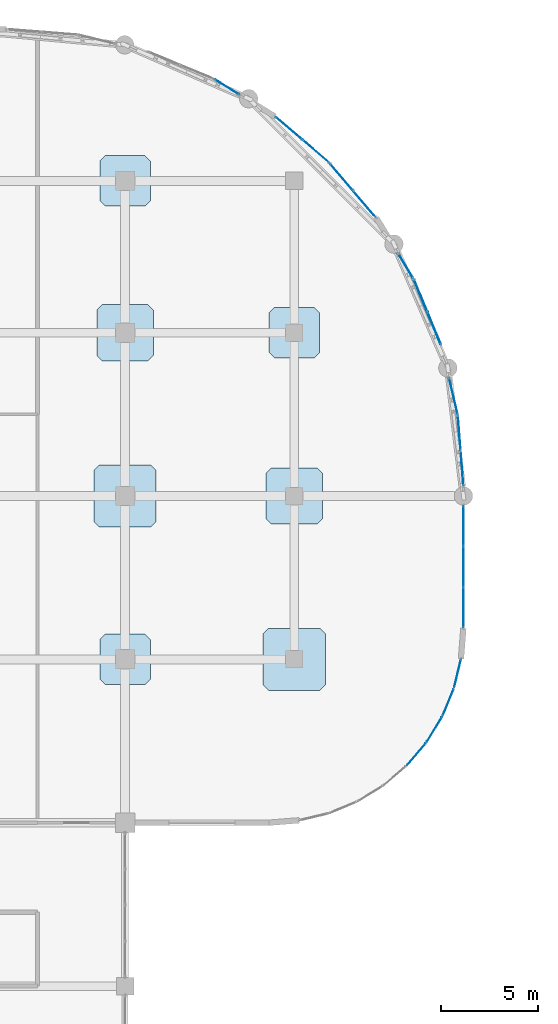
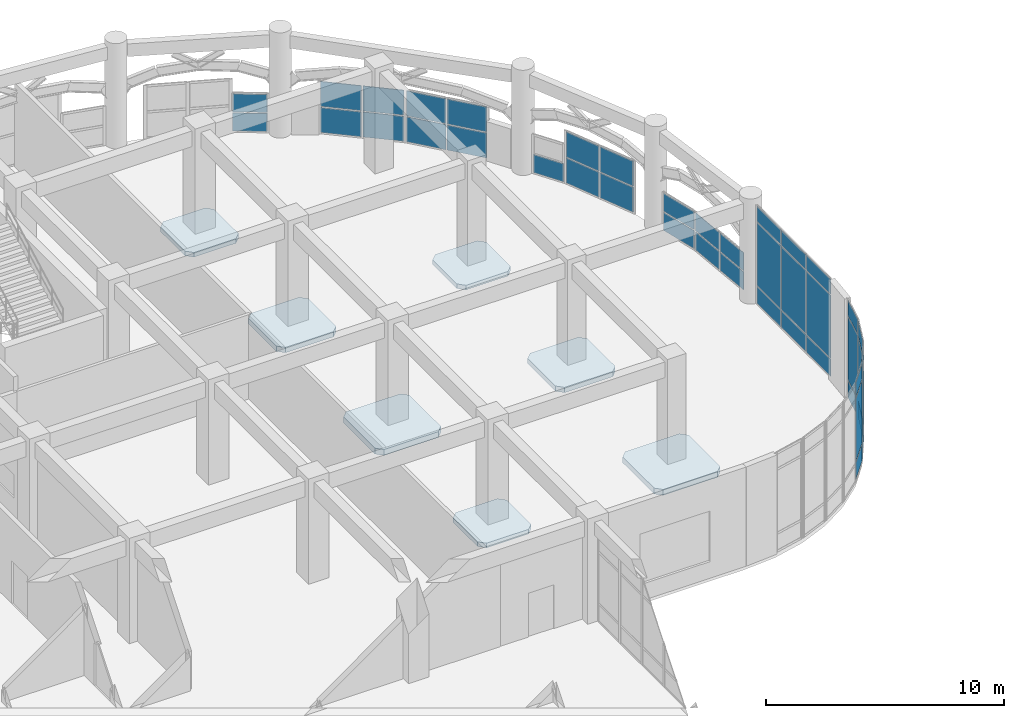
# One storey, part 90 of 114: 42 plates, 7 slabs, 12 elements without a shape of their own.
"""IFC4 building model written with IfcOpenShell, lengths in metres."""

from ifc_helpers import new_model, si_unit, derived_unit, direction, frame, origin, origin_2d, place, context, subcontext, project, spatial, polyline, rectangle, outline, extrude, material, layer, layer_set, type_object, element, aggregate, save


model = new_model("IFC4")

# Units and contexts
model_context = context("Model", 3, precision=1e-05, world=origin(), true_north=direction((0.0, 1.0)))
body_context = subcontext(model_context, "Body", "Model", "MODEL_VIEW")
ifc_project = project(units=[si_unit("LENGTHUNIT", "METRE"), si_unit("AREAUNIT", "SQUARE_METRE"), si_unit("VOLUMEUNIT", "CUBIC_METRE"), si_unit("PLANEANGLEUNIT", "RADIAN"), si_unit("MASSUNIT", "GRAM", prefix="KILO"), derived_unit("THERMALTRANSMITTANCEUNIT", [(si_unit("MASSUNIT", "GRAM", prefix="KILO"), 1), (si_unit("TIMEUNIT", "SECOND"), -3), (si_unit("THERMODYNAMICTEMPERATUREUNIT", "KELVIN"), -1)])], contexts=[model_context])

# Site, building, storey
site_placement = place(None, origin())
site = spatial("IfcSite", under=ifc_project, at=site_placement, CompositionType="ELEMENT")
building_placement = place(site_placement, origin())
building = spatial("IfcBuilding", under=site, at=building_placement, Name="Qinzheling Arcade Emporium", CompositionType="ELEMENT")
storey_placement = place(building_placement, frame((0.0, 0.0, 6.0)))
storey = spatial("IfcBuildingStorey", under=building, at=storey_placement, Name="L02", CompositionType="ELEMENT", Elevation=6.0)

# Slabs
ifc_material_1 = material(Name="Concrete C40", Category="concrete")
ifc_layer_1 = layer(ifc_material_1, 0.235107421875, Name="Concrete C40", Category="concrete")
ifc_layer_set_1 = layer_set([ifc_layer_1], Name="Concrete C40")
slab_type_1 = type_object("IfcSlabType", Name="Column Head Drop Panel 2600x2600x235 C40", PredefinedType="USERDEFINED", material=ifc_layer_set_1)
slab_1_placement = place(storey_placement, frame((0.0, 0.0, -0.5)))
element("IfcSlab", 1, at=slab_1_placement, inside=storey, type_object=slab_type_1, Name="Column Drop Panel DP-L02-16-K", ObjectType="DROP_PANEL", PredefinedType="USERDEFINED", context=body_context, shape_type="SweptSolid", body=[
    extrude(outline(polyline([(129.47998046875, 80.89990234375), (131.52001953125, 80.89990234375), (131.800048828125, 81.179931640625), (131.800048828125, 83.219970703125), (131.52001953125, 83.5), (129.47998046875, 83.5), (129.199951171875, 83.219970703125), (129.199951171875, 81.179931640625), (129.47998046875, 80.89990234375)])), origin(), (0.0, 0.0, 1.0), 0.235107421875),
])
slab_2_placement = place(storey_placement, frame((0.0, 0.0, -0.5)))
element("IfcSlab", 2, at=slab_2_placement, inside=storey, type_object=slab_type_1, Name="Column Drop Panel DP-L02-16-N", ObjectType="DROP_PANEL", PredefinedType="USERDEFINED", context=body_context, shape_type="SweptSolid", body=[
    extrude(outline(polyline([(129.47998046875, 105.5), (131.52001953125, 105.5), (131.800048828125, 105.780029296875), (131.800048828125, 107.820068359375), (131.52001953125, 108.10009765625), (129.47998046875, 108.10009765625), (129.199951171875, 107.820068359375), (129.199951171875, 105.780029296875), (129.47998046875, 105.5)])), origin(), (0.0, 0.0, 1.0), 0.235107421875),
])
slab_3_placement = place(storey_placement, frame((0.0, 0.0, -0.5)))
element("IfcSlab", 3, at=slab_3_placement, inside=storey, type_object=slab_type_1, Name="Column Drop Panel DP-L02-17-M", ObjectType="DROP_PANEL", PredefinedType="USERDEFINED", context=body_context, shape_type="SweptSolid", body=[
    extrude(outline(polyline([(138.179931640625, 97.699951171875), (140.219970703125, 97.699951171875), (140.5, 97.97998046875), (140.5, 100.02001953125), (140.219970703125, 100.300048828125), (138.179931640625, 100.300048828125), (137.89990234375, 100.02001953125), (137.89990234375, 97.97998046875), (138.179931640625, 97.699951171875)])), origin(), (0.0, 0.0, 1.0), 0.235107421875),
])
ifc_layer_2 = layer(ifc_material_1, 0.27001953125, Name="Concrete C40", Category="concrete")
ifc_layer_set_2 = layer_set([ifc_layer_2], Name="Concrete C40")
slab_type_2 = type_object("IfcSlabType", Name="Column Head Drop Panel 2900x2900x270 C40", PredefinedType="USERDEFINED", material=ifc_layer_set_2)
slab_4_placement = place(storey_placement, frame((0.0, 0.0, -0.534912109375)))
element("IfcSlab", 4, at=slab_4_placement, inside=storey, type_object=slab_type_2, Name="Column Drop Panel DP-L02-16-M", ObjectType="DROP_PANEL", PredefinedType="USERDEFINED", context=body_context, shape_type="SweptSolid", body=[
    extrude(outline(polyline([(129.330078125, 97.550048828125), (131.669921875, 97.550048828125), (131.949951171875, 97.830078125), (131.949951171875, 100.169921875), (131.669921875, 100.449951171875), (129.330078125, 100.449951171875), (129.050048828125, 100.169921875), (129.050048828125, 97.830078125), (129.330078125, 97.550048828125)])), origin(), (0.0, 0.0, 1.0), 0.27001953125),
])
slab_5_placement = place(storey_placement, frame((0.0, 0.0, -0.534912109375)))
element("IfcSlab", 5, at=slab_5_placement, inside=storey, type_object=slab_type_2, Name="Column Drop Panel DP-L02-17-L", ObjectType="DROP_PANEL", PredefinedType="USERDEFINED", context=body_context, shape_type="SweptSolid", body=[
    extrude(outline(polyline([(138.030029296875, 89.14990234375), (140.3701171875, 89.14990234375), (140.64990234375, 89.429931640625), (140.64990234375, 91.77001953125), (140.3701171875, 92.050048828125), (138.030029296875, 92.050048828125), (137.75, 91.77001953125), (137.75, 89.429931640625), (138.030029296875, 89.14990234375)])), origin(), (0.0, 0.0, 1.0), 0.27001953125),
])
ifc_layer_3 = layer(ifc_material_1, 0.300048828125, Name="Concrete C40", Category="concrete")
ifc_layer_set_3 = layer_set([ifc_layer_3], Name="Concrete C40")
slab_type_3 = type_object("IfcSlabType", Name="Column Head Drop Panel 3200x3200x300 C40", PredefinedType="USERDEFINED", material=ifc_layer_set_3)
slab_6_placement = place(storey_placement, frame((0.0, 0.0, -0.56494140625)))
element("IfcSlab", 6, at=slab_6_placement, inside=storey, type_object=slab_type_3, Name="Column Drop Panel DP-L02-16-L", ObjectType="DROP_PANEL", PredefinedType="USERDEFINED", context=body_context, shape_type="SweptSolid", body=[
    extrude(outline(polyline([(129.179931640625, 89.0), (131.820068359375, 89.0), (132.10009765625, 89.280029296875), (132.10009765625, 91.919921875), (131.820068359375, 92.199951171875), (129.179931640625, 92.199951171875), (128.89990234375, 91.919921875), (128.89990234375, 89.280029296875), (129.179931640625, 89.0)])), origin(), (0.0, 0.0, 1.0), 0.300048828125),
])
slab_7_placement = place(storey_placement, frame((0.0, 0.0, -0.56494140625)))
element("IfcSlab", 7, at=slab_7_placement, inside=storey, type_object=slab_type_3, Name="Column Drop Panel DP-L02-17-K", ObjectType="DROP_PANEL", PredefinedType="USERDEFINED", context=body_context, shape_type="SweptSolid", body=[
    extrude(outline(polyline([(137.8798828125, 80.60009765625), (140.52001953125, 80.60009765625), (140.800048828125, 80.8798828125), (140.800048828125, 83.52001953125), (140.52001953125, 83.800048828125), (137.8798828125, 83.800048828125), (137.60009765625, 83.52001953125), (137.60009765625, 80.8798828125), (137.8798828125, 80.60009765625)])), origin(), (0.0, 0.0, 1.0), 0.300048828125),
])

# Curtain wall, plates
ifc_material_2 = material(Name="Anodised aluminium and solar-control double glazing", Category="aluminium")
ifc_layer_4 = layer(ifc_material_2, 0.159912109375, Name="Anodised aluminium and solar-control double glazing", Category="aluminium")
ifc_layer_set_4 = layer_set([ifc_layer_4], Name="Anodised aluminium and solar-control double glazing")
curtain_wall_type_1 = type_object("IfcCurtainWallType", Name="Curved Ribbon Sales Curtain Wall", PredefinedType="NOTDEFINED", material=ifc_layer_set_4)
curtain_wall_1_placement = place(storey_placement, origin())
curtain_wall_1 = element("IfcCurtainWall", 8, at=curtain_wall_1_placement, inside=storey, type_object=curtain_wall_type_1, Name="Curtain Wall CW-L02-111", PredefinedType="NOTDEFINED")
ifc_material_3 = material(Name="Laminated solar-control double glazing", Category="glass")
ifc_layer_5 = layer(ifc_material_3, 0.02099609375, Name="Laminated solar-control double glazing", Category="glass")
ifc_layer_set_5 = layer_set([ifc_layer_5], Name="Laminated solar-control double glazing")
plate_type_1 = type_object("IfcPlateType", Name="Low-E Double Glazed Curtain Panel 21mm", PredefinedType="CURTAIN_PANEL", material=ifc_layer_set_5)
plate_1_placement = place(storey_placement, frame((147.37939453125, 95.739501953125, 0.06005859375), z_axis=(0.0, 0.0, 1.0), x_axis=(0.233621036939, -0.972327728237, 0.0)))
plate_1 = element("IfcPlate", 9, at=plate_1_placement, type_object=plate_type_1, Name="CW02 panel 1.1", PredefinedType="CURTAIN_PANEL", context=body_context, shape_type="SweptSolid", body=[
    extrude(rectangle(XDim=1.86181640625, YDim=0.02099609375, at=origin_2d()), origin(), (0.0, 0.0, 1.0), 0.923095703125),
])
plate_2_placement = place(storey_placement, frame((147.37939453125, 95.739501953125, 1.04296875), z_axis=(0.0, 0.0, 1.0), x_axis=(0.233621036939, -0.972327728237, 0.0)))
plate_2 = element("IfcPlate", 10, at=plate_2_placement, type_object=plate_type_1, Name="CW02 panel 1.2", PredefinedType="CURTAIN_PANEL", context=body_context, shape_type="SweptSolid", body=[
    extrude(rectangle(XDim=1.86181640625, YDim=0.02099609375, at=origin_2d()), origin(), (0.0, 0.0, 1.0), 0.922119140625),
])
aggregate(curtain_wall_1, [plate_1, plate_2])

curtain_wall_2_placement = place(storey_placement, origin())
curtain_wall_2 = element("IfcCurtainWall", 11, at=curtain_wall_2_placement, inside=storey, type_object=curtain_wall_type_1, Name="Curtain Wall CW-L02-112", PredefinedType="NOTDEFINED")
ifc_layer_6 = layer(ifc_material_3, 0.02197265625, Name="Laminated solar-control double glazing", Category="glass")
ifc_layer_set_6 = layer_set([ifc_layer_6], Name="Laminated solar-control double glazing")
plate_type_2 = type_object("IfcPlateType", Name="Low-E Double Glazed Curtain Panel 22mm", PredefinedType="CURTAIN_PANEL", material=ifc_layer_set_6)
plate_3_placement = place(storey_placement, frame((147.684326171875, 93.842041015625, 0.06005859375), z_axis=(0.0, 0.0, 1.0), x_axis=(0.078376222365, -0.996923852542, 0.0)))
plate_3 = element("IfcPlate", 12, at=plate_3_placement, type_object=plate_type_2, Name="CW02 panel 1.1", PredefinedType="CURTAIN_PANEL", context=body_context, shape_type="SweptSolid", body=[
    extrude(rectangle(XDim=1.753662109375, YDim=0.02197265625, at=origin_2d()), origin(), (0.0, 0.0, 1.0), 0.923095703125),
])
plate_4_placement = place(storey_placement, frame((147.684326171875, 93.842041015625, 1.04296875), z_axis=(0.0, 0.0, 1.0), x_axis=(0.078376222365, -0.996923852542, 0.0)))
plate_4 = element("IfcPlate", 13, at=plate_4_placement, type_object=plate_type_2, Name="CW02 panel 1.2", PredefinedType="CURTAIN_PANEL", context=body_context, shape_type="SweptSolid", body=[
    extrude(rectangle(XDim=1.753662109375, YDim=0.02197265625, at=origin_2d()), origin(), (0.0, 0.0, 1.0), 0.922119140625),
])
plate_5_placement = place(storey_placement, frame((147.82666015625, 92.033935546875, 0.06005859375), z_axis=(0.0, 0.0, 1.0), x_axis=(0.078376222365, -0.996923852542, 0.0)))
plate_5 = element("IfcPlate", 14, at=plate_5_placement, type_object=plate_type_2, Name="CW02 panel 2.1", PredefinedType="CURTAIN_PANEL", context=body_context, shape_type="SweptSolid", body=[
    extrude(rectangle(XDim=1.753662109375, YDim=0.02197265625, at=origin_2d()), origin(), (0.0, 0.0, 1.0), 0.923095703125),
])
plate_6_placement = place(storey_placement, frame((147.82666015625, 92.033935546875, 1.04296875), z_axis=(0.0, 0.0, 1.0), x_axis=(0.078376222365, -0.996923852542, 0.0)))
plate_6 = element("IfcPlate", 15, at=plate_6_placement, type_object=plate_type_2, Name="CW02 panel 2.2", PredefinedType="CURTAIN_PANEL", context=body_context, shape_type="SweptSolid", body=[
    extrude(rectangle(XDim=1.753662109375, YDim=0.02197265625, at=origin_2d()), origin(), (0.0, 0.0, 1.0), 0.922119140625),
])
aggregate(curtain_wall_2, [plate_3, plate_4, plate_5, plate_6])

ifc_layer_7 = layer(ifc_material_2, 0.159912109375, Name="Anodised aluminium and solar-control double glazing", Category="aluminium")
ifc_layer_set_7 = layer_set([ifc_layer_7], Name="Anodised aluminium and solar-control double glazing")
curtain_wall_type_2 = type_object("IfcCurtainWallType", Name="Arcade Portal Glazed Curtain Wall", PredefinedType="NOTDEFINED", material=ifc_layer_set_7)
curtain_wall_3_placement = place(storey_placement, origin())
curtain_wall_3 = element("IfcCurtainWall", 16, at=curtain_wall_3_placement, inside=storey, type_object=curtain_wall_type_2, Name="Curtain Wall CW-L02-113", PredefinedType="NOTDEFINED")
ifc_layer_8 = layer(ifc_material_3, 0.02392578125, Name="Laminated solar-control double glazing", Category="glass")
ifc_layer_set_8 = layer_set([ifc_layer_8], Name="Laminated solar-control double glazing")
plate_type_3 = type_object("IfcPlateType", Name="Low-E Double Glazed Curtain Panel 24mm", PredefinedType="CURTAIN_PANEL", material=ifc_layer_set_8)
plate_7_placement = place(storey_placement, frame((147.89990234375, 89.05419921875, 0.06005859375), z_axis=(0.0, 0.0, 1.0), x_axis=(0.0, -1.0, 0.0)))
plate_7 = element("IfcPlate", 17, at=plate_7_placement, type_object=plate_type_3, Name="CW05 panel 1.1", PredefinedType="CURTAIN_PANEL", context=body_context, shape_type="SweptSolid", body=[
    extrude(rectangle(XDim=2.017578125, YDim=0.02392578125, at=origin_2d()), origin(), (0.0, 0.0, 1.0), 0.860107421875),
])
plate_8_placement = place(storey_placement, frame((147.89990234375, 89.05419921875, 0.97998046875), z_axis=(0.0, 0.0, 1.0), x_axis=(0.0, -1.0, 0.0)))
plate_8 = element("IfcPlate", 18, at=plate_8_placement, type_object=plate_type_3, Name="CW05 panel 1.2", PredefinedType="CURTAIN_PANEL", context=body_context, shape_type="SweptSolid", body=[
    extrude(rectangle(XDim=2.017578125, YDim=0.02392578125, at=origin_2d()), origin(), (0.0, 0.0, 1.0), 3.22998046875),
])
plate_9_placement = place(storey_placement, frame((147.89990234375, 89.05419921875, 4.27001953125), z_axis=(0.0, 0.0, 1.0), x_axis=(0.0, -1.0, 0.0)))
plate_9 = element("IfcPlate", 19, at=plate_9_placement, type_object=plate_type_3, Name="CW05 panel 1.3", PredefinedType="CURTAIN_PANEL", context=body_context, shape_type="SweptSolid", body=[
    extrude(rectangle(XDim=2.017578125, YDim=0.02392578125, at=origin_2d()), origin(), (0.0, 0.0, 1.0), 0.760009765625),
])
plate_10_placement = place(storey_placement, frame((147.89990234375, 86.96142578125, 0.06005859375), z_axis=(0.0, 0.0, 1.0), x_axis=(0.0, -1.0, 0.0)))
plate_10 = element("IfcPlate", 20, at=plate_10_placement, type_object=plate_type_3, Name="CW05 panel 2.1", PredefinedType="CURTAIN_PANEL", context=body_context, shape_type="SweptSolid", body=[
    extrude(rectangle(XDim=2.047607421875, YDim=0.02392578125, at=origin_2d()), origin(), (0.0, 0.0, 1.0), 0.860107421875),
])
plate_11_placement = place(storey_placement, frame((147.89990234375, 86.96142578125, 0.97998046875), z_axis=(0.0, 0.0, 1.0), x_axis=(0.0, -1.0, 0.0)))
plate_11 = element("IfcPlate", 21, at=plate_11_placement, type_object=plate_type_3, Name="CW05 panel 2.2", PredefinedType="CURTAIN_PANEL", context=body_context, shape_type="SweptSolid", body=[
    extrude(rectangle(XDim=2.047607421875, YDim=0.02392578125, at=origin_2d()), origin(), (0.0, 0.0, 1.0), 3.22998046875),
])
plate_12_placement = place(storey_placement, frame((147.89990234375, 86.96142578125, 4.27001953125), z_axis=(0.0, 0.0, 1.0), x_axis=(0.0, -1.0, 0.0)))
plate_12 = element("IfcPlate", 22, at=plate_12_placement, type_object=plate_type_3, Name="CW05 panel 2.3", PredefinedType="CURTAIN_PANEL", context=body_context, shape_type="SweptSolid", body=[
    extrude(rectangle(XDim=2.047607421875, YDim=0.02392578125, at=origin_2d()), origin(), (0.0, 0.0, 1.0), 0.760009765625),
])
plate_13_placement = place(storey_placement, frame((147.89990234375, 84.868896484375, 0.06005859375), z_axis=(0.0, 0.0, 1.0), x_axis=(0.0, -1.0, 0.0)))
plate_13 = element("IfcPlate", 23, at=plate_13_placement, type_object=plate_type_3, Name="CW05 panel 3.1", PredefinedType="CURTAIN_PANEL", context=body_context, shape_type="SweptSolid", body=[
    extrude(rectangle(XDim=2.017578125, YDim=0.02392578125, at=origin_2d()), origin(), (0.0, 0.0, 1.0), 0.860107421875),
])
plate_14_placement = place(storey_placement, frame((147.89990234375, 84.868896484375, 0.97998046875), z_axis=(0.0, 0.0, 1.0), x_axis=(0.0, -1.0, 0.0)))
plate_14 = element("IfcPlate", 24, at=plate_14_placement, type_object=plate_type_3, Name="CW05 panel 3.2", PredefinedType="CURTAIN_PANEL", context=body_context, shape_type="SweptSolid", body=[
    extrude(rectangle(XDim=2.017578125, YDim=0.02392578125, at=origin_2d()), origin(), (0.0, 0.0, 1.0), 3.22998046875),
])
plate_15_placement = place(storey_placement, frame((147.89990234375, 84.868896484375, 4.27001953125), z_axis=(0.0, 0.0, 1.0), x_axis=(0.0, -1.0, 0.0)))
plate_15 = element("IfcPlate", 25, at=plate_15_placement, type_object=plate_type_3, Name="CW05 panel 3.3", PredefinedType="CURTAIN_PANEL", context=body_context, shape_type="SweptSolid", body=[
    extrude(rectangle(XDim=2.017578125, YDim=0.02392578125, at=origin_2d()), origin(), (0.0, 0.0, 1.0), 0.760009765625),
])
aggregate(curtain_wall_3, [plate_7, plate_8, plate_9, plate_10, plate_11, plate_12, plate_13, plate_14, plate_15])

curtain_wall_4_placement = place(storey_placement, origin())
curtain_wall_4 = element("IfcCurtainWall", 26, at=curtain_wall_4_placement, inside=storey, type_object=curtain_wall_type_1, Name="Curtain Wall CW-L02-114", PredefinedType="NOTDEFINED")
ifc_layer_9 = layer(ifc_material_3, 0.02490234375, Name="Laminated solar-control double glazing", Category="glass")
ifc_layer_set_9 = layer_set([ifc_layer_9], Name="Laminated solar-control double glazing")
plate_type_4 = type_object("IfcPlateType", Name="Low-E Double Glazed Curtain Panel 25mm", PredefinedType="CURTAIN_PANEL", material=ifc_layer_set_9)
plate_16_placement = place(storey_placement, frame((147.593994140625, 81.472900390625, 0.06005859375), z_axis=(0.0, 0.0, 1.0), x_axis=(-0.233228342659, -0.972421996964, 0.0)))
plate_16 = element("IfcPlate", 27, at=plate_16_placement, type_object=plate_type_4, Name="CW02 panel 1.1", PredefinedType="CURTAIN_PANEL", context=body_context, shape_type="SweptSolid", body=[
    extrude(rectangle(XDim=1.44921875, YDim=0.02490234375, at=origin_2d()), origin(), (0.0, 0.0, 1.0), 0.860107421875),
])
plate_17_placement = place(storey_placement, frame((147.593994140625, 81.472900390625, 0.97998046875), z_axis=(0.0, 0.0, 1.0), x_axis=(-0.233228342659, -0.972421996964, 0.0)))
plate_17 = element("IfcPlate", 28, at=plate_17_placement, type_object=plate_type_4, Name="CW02 panel 1.2", PredefinedType="CURTAIN_PANEL", context=body_context, shape_type="SweptSolid", body=[
    extrude(rectangle(XDim=1.44921875, YDim=0.02490234375, at=origin_2d()), origin(), (0.0, 0.0, 1.0), 3.22998046875),
])
plate_18_placement = place(storey_placement, frame((147.593994140625, 81.472900390625, 4.27001953125), z_axis=(0.0, 0.0, 1.0), x_axis=(-0.233228342659, -0.972421996964, 0.0)))
plate_18 = element("IfcPlate", 29, at=plate_18_placement, type_object=plate_type_4, Name="CW02 panel 1.3", PredefinedType="CURTAIN_PANEL", context=body_context, shape_type="SweptSolid", body=[
    extrude(rectangle(XDim=1.44921875, YDim=0.02490234375, at=origin_2d()), origin(), (0.0, 0.0, 1.0), 0.760009765625),
])
aggregate(curtain_wall_4, [plate_16, plate_17, plate_18])

curtain_wall_5_placement = place(storey_placement, origin())
curtain_wall_5 = element("IfcCurtainWall", 30, at=curtain_wall_5_placement, inside=storey, type_object=curtain_wall_type_1, Name="Curtain Wall CW-L02-115", PredefinedType="NOTDEFINED")
ifc_layer_10 = layer(ifc_material_3, 0.02587890625, Name="Laminated solar-control double glazing", Category="glass")
ifc_layer_set_10 = layer_set([ifc_layer_10], Name="Laminated solar-control double glazing")
plate_type_5 = type_object("IfcPlateType", Name="Low-E Double Glazed Curtain Panel 26mm", PredefinedType="CURTAIN_PANEL", material=ifc_layer_set_10)
plate_19_placement = place(storey_placement, frame((147.110595703125, 79.985107421875, 0.06005859375), z_axis=(0.0, 0.0, 1.0), x_axis=(-0.382895684967, -0.923791586038, 0.0)))
plate_19 = element("IfcPlate", 31, at=plate_19_placement, type_object=plate_type_5, Name="CW02 panel 1.1", PredefinedType="CURTAIN_PANEL", context=body_context, shape_type="SweptSolid", body=[
    extrude(rectangle(XDim=1.44970703125, YDim=0.02587890625, at=origin_2d()), origin(), (0.0, 0.0, 1.0), 0.860107421875),
])
plate_20_placement = place(storey_placement, frame((147.110595703125, 79.985107421875, 0.97998046875), z_axis=(0.0, 0.0, 1.0), x_axis=(-0.382895684967, -0.923791586038, 0.0)))
plate_20 = element("IfcPlate", 32, at=plate_20_placement, type_object=plate_type_5, Name="CW02 panel 1.2", PredefinedType="CURTAIN_PANEL", context=body_context, shape_type="SweptSolid", body=[
    extrude(rectangle(XDim=1.44970703125, YDim=0.02587890625, at=origin_2d()), origin(), (0.0, 0.0, 1.0), 3.22998046875),
])
plate_21_placement = place(storey_placement, frame((147.110595703125, 79.985107421875, 4.27001953125), z_axis=(0.0, 0.0, 1.0), x_axis=(-0.382895684967, -0.923791586038, 0.0)))
plate_21 = element("IfcPlate", 33, at=plate_21_placement, type_object=plate_type_5, Name="CW02 panel 1.3", PredefinedType="CURTAIN_PANEL", context=body_context, shape_type="SweptSolid", body=[
    extrude(rectangle(XDim=1.44970703125, YDim=0.02587890625, at=origin_2d()), origin(), (0.0, 0.0, 1.0), 0.760009765625),
])
aggregate(curtain_wall_5, [plate_19, plate_20, plate_21])

curtain_wall_6_placement = place(storey_placement, origin())
curtain_wall_6 = element("IfcCurtainWall", 34, at=curtain_wall_6_placement, inside=storey, type_object=curtain_wall_type_1, Name="Curtain Wall CW-L02-116", PredefinedType="NOTDEFINED")
ifc_layer_11 = layer(ifc_material_3, 0.027099609375, Name="Laminated solar-control double glazing", Category="glass")
ifc_layer_set_11 = layer_set([ifc_layer_11], Name="Laminated solar-control double glazing")
plate_type_6 = type_object("IfcPlateType", Name="Low-E Double Glazed Curtain Panel 27mm", PredefinedType="CURTAIN_PANEL", material=ifc_layer_set_11)
plate_22_placement = place(storey_placement, frame((146.39990234375, 78.591064453125, 0.06005859375), z_axis=(0.0, 0.0, 1.0), x_axis=(-0.522532172191, -0.852619568756, 0.0)))
plate_22 = element("IfcPlate", 35, at=plate_22_placement, type_object=plate_type_6, Name="CW02 panel 1.1", PredefinedType="CURTAIN_PANEL", context=body_context, shape_type="SweptSolid", body=[
    extrude(rectangle(XDim=1.44921875, YDim=0.027099609375, at=origin_2d()), origin(), (0.0, 0.0, 1.0), 0.860107421875),
])
plate_23_placement = place(storey_placement, frame((146.39990234375, 78.591064453125, 0.97998046875), z_axis=(0.0, 0.0, 1.0), x_axis=(-0.522532172191, -0.852619568756, 0.0)))
plate_23 = element("IfcPlate", 36, at=plate_23_placement, type_object=plate_type_6, Name="CW02 panel 1.2", PredefinedType="CURTAIN_PANEL", context=body_context, shape_type="SweptSolid", body=[
    extrude(rectangle(XDim=1.44921875, YDim=0.027099609375, at=origin_2d()), origin(), (0.0, 0.0, 1.0), 3.22998046875),
])
plate_24_placement = place(storey_placement, frame((146.39990234375, 78.591064453125, 4.27001953125), z_axis=(0.0, 0.0, 1.0), x_axis=(-0.522532172191, -0.852619568756, 0.0)))
plate_24 = element("IfcPlate", 37, at=plate_24_placement, type_object=plate_type_6, Name="CW02 panel 1.3", PredefinedType="CURTAIN_PANEL", context=body_context, shape_type="SweptSolid", body=[
    extrude(rectangle(XDim=1.44921875, YDim=0.027099609375, at=origin_2d()), origin(), (0.0, 0.0, 1.0), 0.760009765625),
])
aggregate(curtain_wall_6, [plate_22, plate_23, plate_24])

curtain_wall_7_placement = place(storey_placement, origin())
curtain_wall_7 = element("IfcCurtainWall", 38, at=curtain_wall_7_placement, inside=storey, type_object=curtain_wall_type_1, Name="Curtain Wall CW-L02-117", PredefinedType="NOTDEFINED")
ifc_layer_12 = layer(ifc_material_3, 0.028076171875, Name="Laminated solar-control double glazing", Category="glass")
ifc_layer_set_12 = layer_set([ifc_layer_12], Name="Laminated solar-control double glazing")
plate_type_7 = type_object("IfcPlateType", Name="Low-E Double Glazed Curtain Panel 28mm", PredefinedType="CURTAIN_PANEL", material=ifc_layer_set_12)
plate_25_placement = place(storey_placement, frame((145.48046875, 77.325439453125, 0.06005859375), z_axis=(0.0, 0.0, 1.0), x_axis=(-0.649478172878, -0.760380235773, 0.0)))
plate_25 = element("IfcPlate", 39, at=plate_25_placement, type_object=plate_type_7, Name="CW02 panel 1.1", PredefinedType="CURTAIN_PANEL", context=body_context, shape_type="SweptSolid", body=[
    extrude(rectangle(XDim=1.448974609375, YDim=0.028076171875, at=origin_2d()), origin(), (0.0, 0.0, 1.0), 0.860107421875),
])
plate_26_placement = place(storey_placement, frame((145.48046875, 77.325439453125, 0.97998046875), z_axis=(0.0, 0.0, 1.0), x_axis=(-0.649478172878, -0.760380235773, 0.0)))
plate_26 = element("IfcPlate", 40, at=plate_26_placement, type_object=plate_type_7, Name="CW02 panel 1.2", PredefinedType="CURTAIN_PANEL", context=body_context, shape_type="SweptSolid", body=[
    extrude(rectangle(XDim=1.448974609375, YDim=0.028076171875, at=origin_2d()), origin(), (0.0, 0.0, 1.0), 3.22998046875),
])
plate_27_placement = place(storey_placement, frame((145.48046875, 77.325439453125, 4.27001953125), z_axis=(0.0, 0.0, 1.0), x_axis=(-0.649478172878, -0.760380235773, 0.0)))
plate_27 = element("IfcPlate", 41, at=plate_27_placement, type_object=plate_type_7, Name="CW02 panel 1.3", PredefinedType="CURTAIN_PANEL", context=body_context, shape_type="SweptSolid", body=[
    extrude(rectangle(XDim=1.448974609375, YDim=0.028076171875, at=origin_2d()), origin(), (0.0, 0.0, 1.0), 0.760009765625),
])
aggregate(curtain_wall_7, [plate_25, plate_26, plate_27])

curtain_wall_8_placement = place(storey_placement, origin())
curtain_wall_8 = element("IfcCurtainWall", 42, at=curtain_wall_8_placement, inside=storey, type_object=curtain_wall_type_1, Name="Curtain Wall CW-L02-106", PredefinedType="NOTDEFINED")
ifc_layer_13 = layer(ifc_material_3, 0.033935546875, Name="Laminated solar-control double glazing", Category="glass")
ifc_layer_set_13 = layer_set([ifc_layer_13], Name="Laminated solar-control double glazing")
plate_type_8 = type_object("IfcPlateType", Name="Low-E Double Glazed Curtain Panel 34mm", PredefinedType="CURTAIN_PANEL", material=ifc_layer_set_13)
plate_28_placement = place(storey_placement, frame((135.739013671875, 111.62841796875, 0.06005859375), z_axis=(0.0, 0.0, 1.0), x_axis=(0.852683550912, -0.522427757689, 0.0)))
plate_28 = element("IfcPlate", 43, at=plate_28_placement, type_object=plate_type_8, Name="CW02 panel 1.1", PredefinedType="CURTAIN_PANEL", context=body_context, shape_type="SweptSolid", body=[
    extrude(rectangle(XDim=1.451416015625, YDim=0.033935546875, at=origin_2d()), origin(), (0.0, 0.0, 1.0), 0.923095703125),
])
plate_29_placement = place(storey_placement, frame((135.739013671875, 111.62841796875, 1.04296875), z_axis=(0.0, 0.0, 1.0), x_axis=(0.852683550912, -0.522427757689, 0.0)))
plate_29 = element("IfcPlate", 44, at=plate_29_placement, type_object=plate_type_8, Name="CW02 panel 1.2", PredefinedType="CURTAIN_PANEL", context=body_context, shape_type="SweptSolid", body=[
    extrude(rectangle(XDim=1.451416015625, YDim=0.033935546875, at=origin_2d()), origin(), (0.0, 0.0, 1.0), 0.922119140625),
])
aggregate(curtain_wall_8, [plate_28, plate_29])

curtain_wall_9_placement = place(storey_placement, origin())
curtain_wall_9 = element("IfcCurtainWall", 45, at=curtain_wall_9_placement, inside=storey, type_object=curtain_wall_type_1, Name="Curtain Wall CW-L02-107", PredefinedType="NOTDEFINED")
ifc_layer_14 = layer(ifc_material_3, 0.035888671875, Name="Laminated solar-control double glazing", Category="glass")
ifc_layer_set_14 = layer_set([ifc_layer_14], Name="Laminated solar-control double glazing")
plate_type_9 = type_object("IfcPlateType", Name="Low-E Double Glazed Curtain Panel 36mm", PredefinedType="CURTAIN_PANEL", material=ifc_layer_set_14)
plate_30_placement = place(storey_placement, frame((138.92529296875, 109.50341796875, 0.06005859375), z_axis=(0.0, 0.0, 1.0), x_axis=(0.760384838253, -0.649472784461, 0.0)))
plate_30 = element("IfcPlate", 46, at=plate_30_placement, type_object=plate_type_9, Name="CW02 panel 1.1", PredefinedType="CURTAIN_PANEL", context=body_context, shape_type="SweptSolid", body=[
    extrude(rectangle(XDim=1.75390625, YDim=0.035888671875, at=origin_2d()), origin(), (0.0, 0.0, 1.0), 1.279052734375),
])
plate_31_placement = place(storey_placement, frame((138.92529296875, 109.50341796875, 1.39892578125), z_axis=(0.0, 0.0, 1.0), x_axis=(0.760384838253, -0.649472784461, 0.0)))
plate_31 = element("IfcPlate", 47, at=plate_31_placement, type_object=plate_type_9, Name="CW02 panel 1.2", PredefinedType="CURTAIN_PANEL", context=body_context, shape_type="SweptSolid", body=[
    extrude(rectangle(XDim=1.75390625, YDim=0.035888671875, at=origin_2d()), origin(), (0.0, 0.0, 1.0), 1.278076171875),
])
plate_32_placement = place(storey_placement, frame((140.3046875, 108.325439453125, 0.06005859375), z_axis=(0.0, 0.0, 1.0), x_axis=(0.760384838253, -0.649472784461, 0.0)))
plate_32 = element("IfcPlate", 48, at=plate_32_placement, type_object=plate_type_9, Name="CW02 panel 2.1", PredefinedType="CURTAIN_PANEL", context=body_context, shape_type="SweptSolid", body=[
    extrude(rectangle(XDim=1.75390625, YDim=0.035888671875, at=origin_2d()), origin(), (0.0, 0.0, 1.0), 1.279052734375),
])
plate_33_placement = place(storey_placement, frame((140.3046875, 108.325439453125, 1.39892578125), z_axis=(0.0, 0.0, 1.0), x_axis=(0.760384838253, -0.649472784461, 0.0)))
plate_33 = element("IfcPlate", 49, at=plate_33_placement, type_object=plate_type_9, Name="CW02 panel 2.2", PredefinedType="CURTAIN_PANEL", context=body_context, shape_type="SweptSolid", body=[
    extrude(rectangle(XDim=1.75390625, YDim=0.035888671875, at=origin_2d()), origin(), (0.0, 0.0, 1.0), 1.278076171875),
])
aggregate(curtain_wall_9, [plate_30, plate_31, plate_32, plate_33])

curtain_wall_10_placement = place(storey_placement, origin())
curtain_wall_10 = element("IfcCurtainWall", 50, at=curtain_wall_10_placement, inside=storey, type_object=curtain_wall_type_1, Name="Curtain Wall CW-L02-108", PredefinedType="NOTDEFINED")
ifc_layer_15 = layer(ifc_material_3, 0.0380859375, Name="Laminated solar-control double glazing", Category="glass")
ifc_layer_set_15 = layer_set([ifc_layer_15], Name="Laminated solar-control double glazing")
plate_type_10 = type_object("IfcPlateType", Name="Low-E Double Glazed Curtain Panel 38mm", PredefinedType="CURTAIN_PANEL", material=ifc_layer_set_15)
plate_34_placement = place(storey_placement, frame((141.62548828125, 107.004638671875, 0.06005859375), z_axis=(0.0, 0.0, 1.0), x_axis=(0.649472784461, -0.760384838253, 0.0)))
plate_34 = element("IfcPlate", 51, at=plate_34_placement, type_object=plate_type_10, Name="CW02 panel 1.1", PredefinedType="CURTAIN_PANEL", context=body_context, shape_type="SweptSolid", body=[
    extrude(rectangle(XDim=1.75390625, YDim=0.0380859375, at=origin_2d()), origin(), (0.0, 0.0, 1.0), 1.279052734375),
])
plate_35_placement = place(storey_placement, frame((141.62548828125, 107.004638671875, 1.39892578125), z_axis=(0.0, 0.0, 1.0), x_axis=(0.649472784461, -0.760384838253, 0.0)))
plate_35 = element("IfcPlate", 52, at=plate_35_placement, type_object=plate_type_10, Name="CW02 panel 1.2", PredefinedType="CURTAIN_PANEL", context=body_context, shape_type="SweptSolid", body=[
    extrude(rectangle(XDim=1.75390625, YDim=0.0380859375, at=origin_2d()), origin(), (0.0, 0.0, 1.0), 1.278076171875),
])
plate_36_placement = place(storey_placement, frame((142.803466796875, 105.62548828125, 0.06005859375), z_axis=(0.0, 0.0, 1.0), x_axis=(0.649472784461, -0.760384838253, 0.0)))
plate_36 = element("IfcPlate", 53, at=plate_36_placement, type_object=plate_type_10, Name="CW02 panel 2.1", PredefinedType="CURTAIN_PANEL", context=body_context, shape_type="SweptSolid", body=[
    extrude(rectangle(XDim=1.75390625, YDim=0.0380859375, at=origin_2d()), origin(), (0.0, 0.0, 1.0), 1.279052734375),
])
plate_37_placement = place(storey_placement, frame((142.803466796875, 105.62548828125, 1.39892578125), z_axis=(0.0, 0.0, 1.0), x_axis=(0.649472784461, -0.760384838253, 0.0)))
plate_37 = element("IfcPlate", 54, at=plate_37_placement, type_object=plate_type_10, Name="CW02 panel 2.2", PredefinedType="CURTAIN_PANEL", context=body_context, shape_type="SweptSolid", body=[
    extrude(rectangle(XDim=1.75390625, YDim=0.0380859375, at=origin_2d()), origin(), (0.0, 0.0, 1.0), 1.278076171875),
])
aggregate(curtain_wall_10, [plate_34, plate_35, plate_36, plate_37])

# Curtain wall, plate
curtain_wall_11_placement = place(storey_placement, origin())
curtain_wall_11 = element("IfcCurtainWall", 55, at=curtain_wall_11_placement, inside=storey, type_object=curtain_wall_type_1, Name="Curtain Wall CW-L02-109", PredefinedType="NOTDEFINED")
ifc_layer_16 = layer(ifc_material_3, 0.0400390625, Name="Laminated solar-control double glazing", Category="glass")
ifc_layer_set_16 = layer_set([ifc_layer_16], Name="Laminated solar-control double glazing")
plate_type_11 = type_object("IfcPlateType", Name="Low-E Double Glazed Curtain Panel 40mm", PredefinedType="CURTAIN_PANEL", material=ifc_layer_set_16)
plate_38_placement = place(storey_placement, frame((144.928466796875, 102.43896484375, 0.06005859375), z_axis=(0.0, 0.0, 1.0), x_axis=(0.522427757689, -0.852683550912, 0.0)))
plate_38 = element("IfcPlate", 56, at=plate_38_placement, type_object=plate_type_11, Name="CW02 panel 1.1", PredefinedType="CURTAIN_PANEL", context=body_context, shape_type="SweptSolid", body=[
    extrude(rectangle(XDim=1.451416015625, YDim=0.0400390625, at=origin_2d()), origin(), (0.0, 0.0, 1.0), 0.923095703125),
])
aggregate(curtain_wall_11, [plate_38])

# Curtain wall, plates
curtain_wall_12_placement = place(storey_placement, origin())
curtain_wall_12 = element("IfcCurtainWall", 57, at=curtain_wall_12_placement, inside=storey, type_object=curtain_wall_type_1, Name="Curtain Wall CW-L02-110", PredefinedType="NOTDEFINED")
ifc_layer_17 = layer(ifc_material_3, 0.0419921875, Name="Laminated solar-control double glazing", Category="glass")
ifc_layer_set_17 = layer_set([ifc_layer_17], Name="Laminated solar-control double glazing")
plate_type_12 = type_object("IfcPlateType", Name="Low-E Double Glazed Curtain Panel 42mm", PredefinedType="CURTAIN_PANEL", material=ifc_layer_set_17)
plate_39_placement = place(storey_placement, frame((145.697509765625, 100.9033203125, 0.06005859375), z_axis=(0.0, 0.0, 1.0), x_axis=(0.382631211784, -0.923901161255, 0.0)))
plate_39 = element("IfcPlate", 58, at=plate_39_placement, type_object=plate_type_12, Name="CW02 panel 1.1", PredefinedType="CURTAIN_PANEL", context=body_context, shape_type="SweptSolid", body=[
    extrude(rectangle(XDim=1.75390625, YDim=0.0419921875, at=origin_2d()), origin(), (0.0, 0.0, 1.0), 1.279052734375),
])
plate_40_placement = place(storey_placement, frame((145.697509765625, 100.9033203125, 1.39892578125), z_axis=(0.0, 0.0, 1.0), x_axis=(0.382631211784, -0.923901161255, 0.0)))
plate_40 = element("IfcPlate", 59, at=plate_40_placement, type_object=plate_type_12, Name="CW02 panel 1.2", PredefinedType="CURTAIN_PANEL", context=body_context, shape_type="SweptSolid", body=[
    extrude(rectangle(XDim=1.75390625, YDim=0.0419921875, at=origin_2d()), origin(), (0.0, 0.0, 1.0), 1.278076171875),
])
plate_41_placement = place(storey_placement, frame((146.3916015625, 99.2275390625, 0.06005859375), z_axis=(0.0, 0.0, 1.0), x_axis=(0.382631211784, -0.923901161255, 0.0)))
plate_41 = element("IfcPlate", 60, at=plate_41_placement, type_object=plate_type_12, Name="CW02 panel 2.1", PredefinedType="CURTAIN_PANEL", context=body_context, shape_type="SweptSolid", body=[
    extrude(rectangle(XDim=1.75390625, YDim=0.0419921875, at=origin_2d()), origin(), (0.0, 0.0, 1.0), 1.279052734375),
])
plate_42_placement = place(storey_placement, frame((146.3916015625, 99.2275390625, 1.39892578125), z_axis=(0.0, 0.0, 1.0), x_axis=(0.382631211784, -0.923901161255, 0.0)))
plate_42 = element("IfcPlate", 61, at=plate_42_placement, type_object=plate_type_12, Name="CW02 panel 2.2", PredefinedType="CURTAIN_PANEL", context=body_context, shape_type="SweptSolid", body=[
    extrude(rectangle(XDim=1.75390625, YDim=0.0419921875, at=origin_2d()), origin(), (0.0, 0.0, 1.0), 1.278076171875),
])
aggregate(curtain_wall_12, [plate_39, plate_40, plate_41, plate_42])

save(model, "model.ifc")
